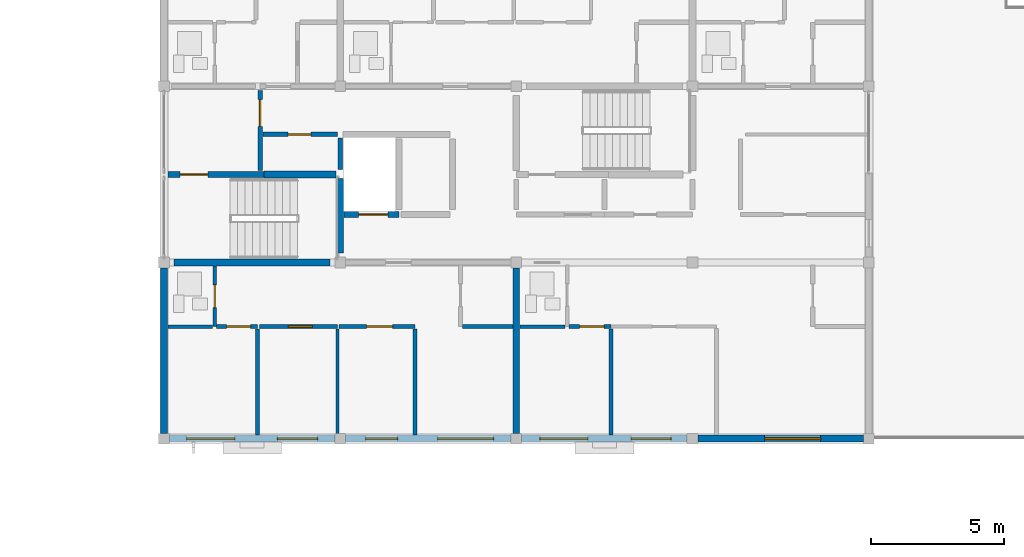
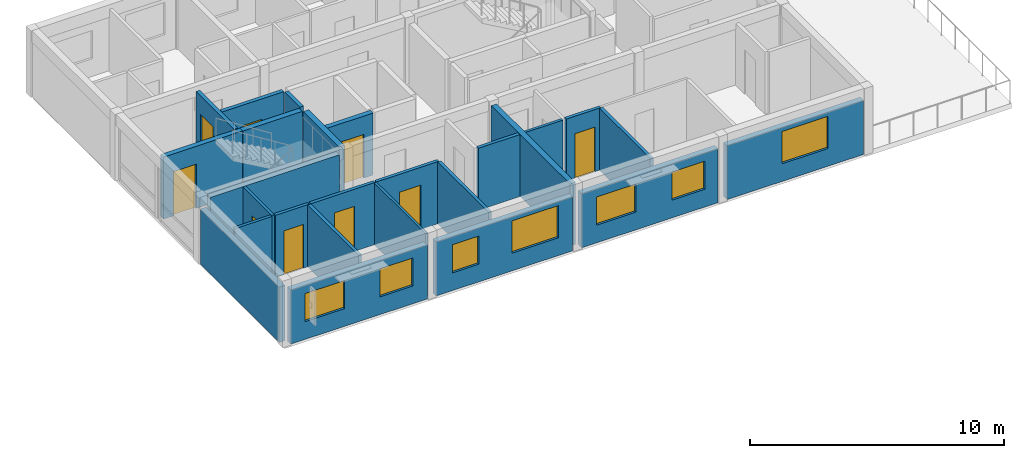
# One storey, part 12 of 22: 26 walls, 9 doors, 7 windows, 16 openings.
"""IFC4 building model written with IfcOpenShell, lengths in metres."""

import ifcopenshell
import ifcopenshell.guid

model = None  # the IFC model being written
_history = None  # IfcOwnerHistory: only IFC2X3 demands one
_inside = {}  # id of a spatial element -> (the spatial element, [elements in it])
_under = {}  # id of a project, library or spatial element -> (it, [spatial elements below it])
_declared = {}  # id of a project -> (the project, [libraries it declares])
_typed = {}  # id of a type object -> (the type object, [elements of that type])
_made_of = {}  # id of a material, layer set ... -> (it, [elements and type objects made of it])


def new_model(schema):
    """Start an empty IFC model of exactly this schema.

    Asked for "IFC4X3", IfcOpenShell would pick the latest addendum, in which some entities
    have other attributes; the version numbers below select the first issue.
    IFC2X3 requires an IfcOwnerHistory on every rooted entity: one is made here for all.
    """
    global model, _history
    if schema == "IFC4X3":
        model = ifcopenshell.file(schema_version=(4, 3, 0, 0))
    else:
        model = ifcopenshell.file(schema=schema)
    _inside.clear()
    _under.clear()
    _declared.clear()
    _typed.clear()
    _made_of.clear()
    _history = None
    if model.schema == "IFC2X3":
        org = make("IfcOrganization", Name="unknown")
        user = make(
            "IfcPersonAndOrganization",
            ThePerson=make("IfcPerson", FamilyName="unknown"),
            TheOrganization=org,
        )
        app = make(
            "IfcApplication",
            ApplicationDeveloper=org,
            Version="unknown",
            ApplicationFullName="unknown",
            ApplicationIdentifier="unknown",
        )
        _history = make(
            "IfcOwnerHistory",
            OwningUser=user,
            OwningApplication=app,
            ChangeAction="ADDED",
            CreationDate=0,
        )
    return model


def make(cls, **values):
    """One entity of the class cls with the attributes given. An attribute that is None is left unset."""
    return model.create_entity(
        cls, **{name: value for name, value in values.items() if value is not None}
    )


def rooted(cls, **values):
    """An entity with a GlobalId (a new one), such as an element, a storey or a relation."""
    return make(cls, GlobalId=ifcopenshell.guid.new(), OwnerHistory=_history, **values)


def si_unit(unit_type, name, prefix=None):
    """IfcSIUnit, for example si_unit("LENGTHUNIT", "METRE", prefix="MILLI")."""
    return make("IfcSIUnit", UnitType=unit_type, Prefix=prefix, Name=name)


def assignment(units):
    """IfcUnitAssignment: the units of a project."""
    return None if units is None else make("IfcUnitAssignment", Units=units)


def point(xyz):
    """IfcCartesianPoint."""
    return None if xyz is None else make("IfcCartesianPoint", Coordinates=xyz)


def direction(xyz):
    """IfcDirection."""
    return None if xyz is None else make("IfcDirection", DirectionRatios=xyz)


def frame(location, z_axis=None, x_axis=None):
    """IfcAxis2Placement3D, a coordinate frame: its origin and axes. An axis left out is left unset."""
    return make(
        "IfcAxis2Placement3D",
        Location=point(location),
        Axis=direction(z_axis),
        RefDirection=direction(x_axis),
    )


def frame_2d(location, x_axis=None):
    """IfcAxis2Placement2D, a coordinate frame in the plane: its origin and x axis."""
    return make(
        "IfcAxis2Placement2D", Location=point(location), RefDirection=direction(x_axis)
    )


def origin():
    """The frame at (0, 0, 0) with its axes left unset."""
    return frame((0.0, 0.0, 0.0))


def place(relative_to, where):
    """IfcLocalPlacement: puts the frame where relative to a parent placement (None: the world)."""
    return make(
        "IfcLocalPlacement", PlacementRelTo=relative_to, RelativePlacement=where
    )


def context(
    kind, dimensions, precision=None, world=None, true_north=None, identifier=None
):
    """IfcGeometricRepresentationContext, for example the 3D "Model" context."""
    return make(
        "IfcGeometricRepresentationContext",
        ContextIdentifier=identifier,
        ContextType=kind,
        CoordinateSpaceDimension=dimensions,
        Precision=precision,
        WorldCoordinateSystem=world,
        TrueNorth=true_north,
    )


def subcontext(parent, identifier, kind, view, scale=None):
    """IfcGeometricRepresentationSubContext, for example "Body" below "Model"."""
    return make(
        "IfcGeometricRepresentationSubContext",
        ContextIdentifier=identifier,
        ContextType=kind,
        ParentContext=parent,
        TargetScale=scale,
        TargetView=view,
    )


def project(units=None, contexts=None):
    """IfcProject with its units and contexts."""
    return rooted(
        "IfcProject",
        Name="project",
        RepresentationContexts=contexts,
        UnitsInContext=assignment(units),
    )


def spatial(cls, under=None, at=None, **own):
    """A site, building, storey or space (cls), placed at a placement, below another one or the project."""
    s = rooted(cls, ObjectPlacement=at, **own)
    if under is not None:
        _under.setdefault(under.id(), (under, []))[1].append(s)
    return s


def profile(cls, at=None, kind="AREA", **sizes):
    """A parametric profile (cls). Its sizes go by their IFC names, for example OverallWidth=200.0."""
    return make(cls, ProfileType=kind, Position=at, **sizes)


def rectangle(**sizes):
    """IfcRectangleProfileDef."""
    return profile("IfcRectangleProfileDef", **sizes)


def extrude(swept, where, along, depth):
    """IfcExtrudedAreaSolid: the profile swept, set in the frame where, extruded along a direction by depth."""
    return make(
        "IfcExtrudedAreaSolid",
        SweptArea=swept,
        Position=where,
        ExtrudedDirection=direction(along),
        Depth=depth,
    )


def shape(context_of_items, identifier, shape_type, items):
    """IfcShapeRepresentation: the items that make up one representation, for example the "Body"."""
    return make(
        "IfcShapeRepresentation",
        ContextOfItems=context_of_items,
        RepresentationIdentifier=identifier,
        RepresentationType=shape_type,
        Items=items,
    )


def material(Name=None, Category=None):
    """IfcMaterial."""
    return make("IfcMaterial", Name=Name, Category=Category)


def layer(
    of_material, thickness, ventilated=None, Name=None, Category=None, Priority=None
):
    """IfcMaterialLayer: one layer of a wall or slab, of a material (None: an air gap)."""
    return make(
        "IfcMaterialLayer",
        Material=of_material,
        LayerThickness=thickness,
        IsVentilated=ventilated,
        Name=Name,
        Category=Category,
        Priority=Priority,
    )


def layer_set(layers, Name=None):
    """IfcMaterialLayerSet."""
    return make("IfcMaterialLayerSet", MaterialLayers=layers, LayerSetName=Name)


def made_of(thing, what):
    """Note that an element or type object is made of a material, layer set ...; save() writes the relation."""
    if what is not None:
        _made_of.setdefault(what.id(), (what, []))[1].append(thing)
    return thing


def type_object(cls, material=None, **own):
    """A type object (cls), such as IfcWallType, which elements share."""
    return made_of(rooted(cls, **own), material)


def element(
    cls,
    number,
    at=None,
    inside=None,
    cuts=None,
    type_object=None,
    material=None,
    context=None,
    identifier="Body",
    shape_type=None,
    held_by="IfcProductDefinitionShape",
    body=None,
    shapes=None,
    **own,
):
    """One element of the class cls, such as IfcWall. Its Tag is "e" and its number.

    at: its placement. inside: the storey or other place that contains it. cuts: it is an
    opening in that element (IfcRelVoidsElement). A single representation is given by context,
    identifier, shape_type and body (its items); several are given by shapes. held_by: the class
    of the entity that holds the representations. save() writes the other relations.
    """
    e = rooted(cls, Tag="e%d" % number, ObjectPlacement=at, **own)
    if body is not None:
        shapes = [shape(context, identifier, shape_type, body)]
    if shapes is not None:
        e.Representation = make(held_by, Representations=shapes)
    if inside is not None:
        _inside.setdefault(inside.id(), (inside, []))[1].append(e)
    if cuts is not None:
        rooted(
            "IfcRelVoidsElement", RelatingBuildingElement=cuts, RelatedOpeningElement=e
        )
    if type_object is not None:
        _typed.setdefault(type_object.id(), (type_object, []))[1].append(e)
    return made_of(e, material)


def fill(opening, filler):
    """IfcRelFillsElement: the door or window that sits in an opening."""
    return rooted(
        "IfcRelFillsElement",
        RelatingOpeningElement=opening,
        RelatedBuildingElement=filler,
    )


def aggregate(whole, parts):
    """IfcRelAggregates: a whole, such as a stair, and the parts it consists of."""
    return rooted("IfcRelAggregates", RelatingObject=whole, RelatedObjects=parts)


def save(model, path):
    """Write the relations noted so far, then the file.

    IfcRelAggregates (storeys below a building ...), IfcRelContainedInSpatialStructure (elements
    in a storey), IfcRelDefinesByType, IfcRelAssociatesMaterial and IfcRelDeclares: one each for
    every whole, place, type object, material and project.
    """
    for whole, parts in _under.values():
        aggregate(whole, parts)
    for where, things in _inside.values():
        rooted(
            "IfcRelContainedInSpatialStructure",
            RelatedElements=things,
            RelatingStructure=where,
        )
    for kind, things in _typed.values():
        rooted("IfcRelDefinesByType", RelatedObjects=things, RelatingType=kind)
    for what, things in _made_of.values():
        rooted("IfcRelAssociatesMaterial", RelatedObjects=things, RelatingMaterial=what)
    for by, libraries in _declared.values():
        rooted("IfcRelDeclares", RelatingContext=by, RelatedDefinitions=libraries)
    model.write(path)


model = new_model("IFC4")

# Units and contexts
model_context = context("Model", 3, precision=1e-05, world=origin(), true_north=direction((0.0, 1.0)))
body_context = subcontext(model_context, "Body", "Model", "MODEL_VIEW")
ifc_project = project(units=[si_unit("LENGTHUNIT", "METRE"), si_unit("AREAUNIT", "SQUARE_METRE"), si_unit("VOLUMEUNIT", "CUBIC_METRE"), si_unit("PLANEANGLEUNIT", "RADIAN"), si_unit("MASSUNIT", "GRAM", prefix="KILO")], contexts=[model_context])

# Site, building, storey
site_placement = place(None, origin())
site = spatial("IfcSite", under=ifc_project, at=site_placement, CompositionType="ELEMENT")
building_placement = place(site_placement, origin())
building = spatial("IfcBuilding", under=site, at=building_placement, Name="Kernevlak Ridge Housing Community", CompositionType="ELEMENT")
storey_placement = place(building_placement, frame((0.0, 0.0, 43.60009765625)))
storey = spatial("IfcBuildingStorey", under=building, at=storey_placement, Name="L13", CompositionType="ELEMENT", Elevation=43.60009765625)

# Wall, openings, windows
ifc_material_1 = material(Name="Concrete block masonry M10", Category="masonry")
ifc_layer_1 = layer(ifc_material_1, 0.260009765625, Name="Concrete block masonry M10")
ifc_layer_set_1 = layer_set([ifc_layer_1], Name="Concrete block masonry M10")
wall_type_1 = type_object("IfcWallType", Name="EW-05", PredefinedType="STANDARD", material=ifc_layer_set_1)
wall_1_placement = place(storey_placement, frame((119.60009765625, 82.60009765625, 0.0), z_axis=(0.0, 0.0, 1.0), x_axis=(1.0, 0.0, 0.0)))
wall_1 = element("IfcWall", 1, at=wall_1_placement, inside=storey, type_object=wall_type_1, Name="Exterior wall EW-05 L13 499", PredefinedType="STANDARD", context=body_context, shape_type="SweptSolid", body=[
    extrude(rectangle(XDim=6.199951171875, YDim=0.260009765625, at=frame_2d((3.10009765625, 0.0))), origin(), (0.0, 0.0, 1.0), 2.599853515625),
])
opening_1_placement = place(wall_1_placement, frame((0.64990234375, 0.0, 0.85009765625)))
opening_1 = element("IfcOpeningElement", 2, at=opening_1_placement, cuts=wall_1, Name="Opening WT-03", PredefinedType="OPENING", context=body_context, shape_type="SweptSolid", body=[
    extrude(rectangle(XDim=1.800048828125, YDim=1.35009765625, at=frame_2d((0.89990234375, 0.675048828125))), frame((0.0, 0.139892578125, 0.0), z_axis=(0.0, -1.0, 0.0), x_axis=(1.0, 0.0, 0.0)), (0.0, 0.0, 1.0), 0.280029296875),
])
opening_2_placement = place(wall_1_placement, frame((4.050048828125, 0.0, 0.85009765625)))
opening_2 = element("IfcOpeningElement", 3, at=opening_2_placement, cuts=wall_1, Name="Opening WT-02", PredefinedType="OPENING", context=body_context, shape_type="SweptSolid", body=[
    extrude(rectangle(XDim=1.5, YDim=1.35009765625, at=frame_2d((0.75, 0.675048828125))), frame((0.0, 0.139892578125, 0.0), z_axis=(0.0, -1.0, 0.0), x_axis=(1.0, 0.0, 0.0)), (0.0, 0.0, 1.0), 0.280029296875),
])
ifc_material_2 = material(Name="Aluminium EN AW-6060 anodised and laminated glass", Category="aluminium")
window_type_1 = type_object("IfcWindowType", Name="WT-02", PartitioningType="SINGLE_PANEL", PredefinedType="WINDOW", material=ifc_material_2)
window_1_placement = place(opening_2_placement, origin())
window_1 = element("IfcWindow", 4, at=window_1_placement, inside=storey, type_object=window_type_1, Name="Window WT-02 L13 388", OverallHeight=1.35009765625, OverallWidth=1.5, PartitioningType="SINGLE_PANEL", PredefinedType="WINDOW", context=body_context, shape_type="SweptSolid", body=[
    extrude(rectangle(XDim=1.5, YDim=1.35009765625, at=frame_2d((0.75, 0.675048828125))), frame((0.0, 0.030029296875, 0.0), z_axis=(0.0, -1.0, 0.0), x_axis=(1.0, 0.0, 0.0)), (0.0, 0.0, 1.0), 0.06005859375),
])
fill(opening_2, window_1)
window_type_2 = type_object("IfcWindowType", Name="WT-03", PartitioningType="SINGLE_PANEL", PredefinedType="WINDOW", material=ifc_material_2)
window_2_placement = place(opening_1_placement, origin())
window_2 = element("IfcWindow", 5, at=window_2_placement, inside=storey, type_object=window_type_2, Name="Window WT-03 L13 387", OverallHeight=1.35009765625, OverallWidth=1.800048828125, PartitioningType="SINGLE_PANEL", PredefinedType="WINDOW", context=body_context, shape_type="SweptSolid", body=[
    extrude(rectangle(XDim=1.800048828125, YDim=1.35009765625, at=frame_2d((0.89990234375, 0.675048828125))), frame((0.0, 0.030029296875, 0.0), z_axis=(0.0, -1.0, 0.0), x_axis=(1.0, 0.0, 0.0)), (0.0, 0.0, 1.0), 0.06005859375),
])
fill(opening_1, window_2)

wall_2_placement = place(storey_placement, frame((126.199951171875, 82.60009765625, 0.0), z_axis=(0.0, 0.0, 1.0), x_axis=(1.0, 0.0, 0.0)))
wall_2 = element("IfcWall", 6, at=wall_2_placement, inside=storey, type_object=wall_type_1, Name="Exterior wall EW-05 L13 500", PredefinedType="STANDARD", context=body_context, shape_type="SweptSolid", body=[
    extrude(rectangle(XDim=6.199951171875, YDim=0.260009765625, at=frame_2d((3.10009765625, 0.0))), origin(), (0.0, 0.0, 1.0), 2.599853515625),
])
opening_3_placement = place(wall_2_placement, frame((0.75, 0.0, 0.85009765625)))
opening_3 = element("IfcOpeningElement", 7, at=opening_3_placement, cuts=wall_2, Name="Opening WT-01", PredefinedType="OPENING", context=body_context, shape_type="SweptSolid", body=[
    extrude(rectangle(XDim=1.199951171875, YDim=1.35009765625, at=frame_2d((0.60009765625, 0.675048828125))), frame((0.0, 0.139892578125, 0.0), z_axis=(0.0, -1.0, 0.0), x_axis=(1.0, 0.0, 0.0)), (0.0, 0.0, 1.0), 0.280029296875),
])
opening_4_placement = place(wall_2_placement, frame((3.449951171875, 0.0, 0.85009765625)))
opening_4 = element("IfcOpeningElement", 8, at=opening_4_placement, cuts=wall_2, Name="Opening WT-05", PredefinedType="OPENING", context=body_context, shape_type="SweptSolid", body=[
    extrude(rectangle(XDim=2.10009765625, YDim=1.550048828125, at=frame_2d((1.050048828125, 0.77490234375))), frame((0.0, 0.139892578125, 0.0), z_axis=(0.0, -1.0, 0.0), x_axis=(1.0, 0.0, 0.0)), (0.0, 0.0, 1.0), 0.280029296875),
])
window_type_3 = type_object("IfcWindowType", Name="WT-01", PartitioningType="SINGLE_PANEL", PredefinedType="WINDOW", material=ifc_material_2)
window_3_placement = place(opening_3_placement, origin())
window_3 = element("IfcWindow", 9, at=window_3_placement, inside=storey, type_object=window_type_3, Name="Window WT-01 L13 389", OverallHeight=1.35009765625, OverallWidth=1.199951171875, PartitioningType="SINGLE_PANEL", PredefinedType="WINDOW", context=body_context, shape_type="SweptSolid", body=[
    extrude(rectangle(XDim=1.199951171875, YDim=1.35009765625, at=frame_2d((0.60009765625, 0.675048828125))), frame((0.0, 0.030029296875, 0.0), z_axis=(0.0, -1.0, 0.0), x_axis=(1.0, 0.0, 0.0)), (0.0, 0.0, 1.0), 0.06005859375),
])
fill(opening_3, window_3)
window_type_4 = type_object("IfcWindowType", Name="WT-05", PartitioningType="SINGLE_PANEL", PredefinedType="WINDOW", material=ifc_material_2)
window_4_placement = place(opening_4_placement, origin())
window_4 = element("IfcWindow", 10, at=window_4_placement, inside=storey, type_object=window_type_4, Name="Window WT-05 L13 390", OverallHeight=1.550048828125, OverallWidth=2.10009765625, PartitioningType="SINGLE_PANEL", PredefinedType="WINDOW", context=body_context, shape_type="SweptSolid", body=[
    extrude(rectangle(XDim=2.10009765625, YDim=1.550048828125, at=frame_2d((1.050048828125, 0.77490234375))), frame((0.0, 0.030029296875, 0.0), z_axis=(0.0, -1.0, 0.0), x_axis=(1.0, 0.0, 0.0)), (0.0, 0.0, 1.0), 0.06005859375),
])
fill(opening_4, window_4)

wall_3_placement = place(storey_placement, frame((132.800048828125, 82.60009765625, 0.0), z_axis=(0.0, 0.0, 1.0), x_axis=(1.0, 0.0, 0.0)))
wall_3 = element("IfcWall", 11, at=wall_3_placement, inside=storey, type_object=wall_type_1, Name="Exterior wall EW-05 L13 501", PredefinedType="STANDARD", context=body_context, shape_type="SweptSolid", body=[
    extrude(rectangle(XDim=6.199951171875, YDim=0.260009765625, at=frame_2d((3.10009765625, 0.0))), origin(), (0.0, 0.0, 1.0), 2.599853515625),
])
opening_5_placement = place(wall_3_placement, frame((0.675048828125, 0.0, 0.85009765625)))
opening_5 = element("IfcOpeningElement", 12, at=opening_5_placement, cuts=wall_3, Name="Opening WT-03", PredefinedType="OPENING", context=body_context, shape_type="SweptSolid", body=[
    extrude(rectangle(XDim=1.800048828125, YDim=1.35009765625, at=frame_2d((0.89990234375, 0.675048828125))), frame((0.0, 0.139892578125, 0.0), z_axis=(0.0, -1.0, 0.0), x_axis=(1.0, 0.0, 0.0)), (0.0, 0.0, 1.0), 0.280029296875),
])
opening_6_placement = place(wall_3_placement, frame((4.10009765625, 0.0, 0.85009765625)))
opening_6 = element("IfcOpeningElement", 13, at=opening_6_placement, cuts=wall_3, Name="Opening WT-02", PredefinedType="OPENING", context=body_context, shape_type="SweptSolid", body=[
    extrude(rectangle(XDim=1.5, YDim=1.35009765625, at=frame_2d((0.75, 0.675048828125))), frame((0.0, 0.139892578125, 0.0), z_axis=(0.0, -1.0, 0.0), x_axis=(1.0, 0.0, 0.0)), (0.0, 0.0, 1.0), 0.280029296875),
])
window_5_placement = place(opening_6_placement, origin())
window_5 = element("IfcWindow", 14, at=window_5_placement, inside=storey, type_object=window_type_1, Name="Window WT-02 L13 392", OverallHeight=1.35009765625, OverallWidth=1.5, PartitioningType="SINGLE_PANEL", PredefinedType="WINDOW", context=body_context, shape_type="SweptSolid", body=[
    extrude(rectangle(XDim=1.5, YDim=1.35009765625, at=frame_2d((0.75, 0.675048828125))), frame((0.0, 0.030029296875, 0.0), z_axis=(0.0, -1.0, 0.0), x_axis=(1.0, 0.0, 0.0)), (0.0, 0.0, 1.0), 0.06005859375),
])
fill(opening_6, window_5)
window_6_placement = place(opening_5_placement, origin())
window_6 = element("IfcWindow", 15, at=window_6_placement, inside=storey, type_object=window_type_2, Name="Window WT-03 L13 391", OverallHeight=1.35009765625, OverallWidth=1.800048828125, PartitioningType="SINGLE_PANEL", PredefinedType="WINDOW", context=body_context, shape_type="SweptSolid", body=[
    extrude(rectangle(XDim=1.800048828125, YDim=1.35009765625, at=frame_2d((0.89990234375, 0.675048828125))), frame((0.0, 0.030029296875, 0.0), z_axis=(0.0, -1.0, 0.0), x_axis=(1.0, 0.0, 0.0)), (0.0, 0.0, 1.0), 0.06005859375),
])
fill(opening_5, window_6)

# Wall, opening, window
wall_4_placement = place(storey_placement, frame((139.39990234375, 82.60009765625, 0.0), z_axis=(0.0, 0.0, 1.0), x_axis=(1.0, 0.0, 0.0)))
wall_4 = element("IfcWall", 16, at=wall_4_placement, inside=storey, type_object=wall_type_1, Name="Exterior wall EW-05 L13 502", PredefinedType="STANDARD", context=body_context, shape_type="SweptSolid", body=[
    extrude(rectangle(XDim=6.2001953125, YDim=0.260009765625, at=frame_2d((3.10009765625, 0.0))), origin(), (0.0, 0.0, 1.0), 2.599853515625),
])
opening_7_placement = place(wall_4_placement, frame((2.49609375, 0.0, 0.85009765625)))
opening_7 = element("IfcOpeningElement", 17, at=opening_7_placement, cuts=wall_4, Name="Opening WT-05", PredefinedType="OPENING", context=body_context, shape_type="SweptSolid", body=[
    extrude(rectangle(XDim=2.10009765625, YDim=1.550048828125, at=frame_2d((1.050048828125, 0.77490234375))), frame((0.0, 0.139892578125, 0.0), z_axis=(0.0, -1.0, 0.0), x_axis=(1.0, 0.0, 0.0)), (0.0, 0.0, 1.0), 0.280029296875),
])
window_7_placement = place(opening_7_placement, origin())
window_7 = element("IfcWindow", 18, at=window_7_placement, inside=storey, type_object=window_type_4, Name="Window WT-05 L13 393", OverallHeight=1.550048828125, OverallWidth=2.10009765625, PartitioningType="SINGLE_PANEL", PredefinedType="WINDOW", context=body_context, shape_type="SweptSolid", body=[
    extrude(rectangle(XDim=2.10009765625, YDim=1.550048828125, at=frame_2d((1.050048828125, 0.77490234375))), frame((0.0, 0.030029296875, 0.0), z_axis=(0.0, -1.0, 0.0), x_axis=(1.0, 0.0, 0.0)), (0.0, 0.0, 1.0), 0.06005859375),
])
fill(opening_7, window_7)

# Wall
wall_5_placement = place(storey_placement, frame((119.39990234375, 82.800048828125, 0.0), z_axis=(0.0, 0.0, 1.0), x_axis=(0.0, 1.0, 0.0)))
element("IfcWall", 19, at=wall_5_placement, inside=storey, type_object=wall_type_1, Name="Exterior wall EW-05 L13 509", PredefinedType="STANDARD", context=body_context, shape_type="SweptSolid", body=[
    extrude(rectangle(XDim=6.199951171875, YDim=0.260009765625, at=frame_2d((3.10009765625, 0.0))), origin(), (0.0, 0.0, 1.0), 2.64990234375),
])

# Wall, opening, door
ifc_material_3 = material(Name="Concrete C35/45", Category="concrete")
ifc_layer_2 = layer(ifc_material_3, 0.22509765625, Name="Concrete C35/45")
ifc_layer_set_2 = layer_set([ifc_layer_2], Name="Concrete C35/45")
wall_type_2 = type_object("IfcWallType", Name="PW-01", PredefinedType="STANDARD", material=ifc_layer_set_2)
wall_6_placement = place(storey_placement, frame((119.550048828125, 92.5, 0.0), z_axis=(0.0, 0.0, 1.0), x_axis=(1.0, 0.0, 0.0)))
wall_6 = element("IfcWall", 20, at=wall_6_placement, inside=storey, type_object=wall_type_2, Name="Interior wall PW-01 WAL-INT-L13-1954", PredefinedType="STANDARD", context=body_context, shape_type="SweptSolid", body=[
    extrude(rectangle(XDim=3.599853515625, YDim=0.22509765625, at=frame_2d((1.7998046875, 0.0))), origin(), (0.0, 0.0, 1.0), 2.97998046875),
])
opening_8_placement = place(wall_6_placement, frame((0.449951171875, 0.0, 0.0)))
opening_8 = element("IfcOpeningElement", 21, at=opening_8_placement, cuts=wall_6, Name="Opening D991", PredefinedType="OPENING", context=body_context, shape_type="SweptSolid", body=[
    extrude(rectangle(XDim=1.0400390625, YDim=2.1201171875, at=frame_2d((0.52001953125, 1.06005859375))), frame((0.0, 0.12255859375, 0.0), z_axis=(0.0, -1.0, 0.0), x_axis=(1.0, 0.0, 0.0)), (0.0, 0.0, 1.0), 0.2451171875),
])
ifc_material_4 = material(Name="Fire-rated sheet steel leaf", Category="steel")
door_type_1 = type_object("IfcDoorType", Name="DT-16", OperationType="NOTDEFINED", PredefinedType="DOOR", material=ifc_material_4)
door_1_placement = place(opening_8_placement, origin())
door_1 = element("IfcDoor", 22, at=door_1_placement, inside=storey, type_object=door_type_1, Name="Block B Stair 1 fire door D991", OperationType="SINGLE_SWING_LEFT", OverallHeight=2.1201171875, OverallWidth=1.0400390625, PredefinedType="DOOR", context=body_context, shape_type="SweptSolid", body=[
    extrude(rectangle(XDim=1.0400390625, YDim=2.1201171875, at=frame_2d((0.52001953125, 1.06005859375))), frame((0.0, 0.02490234375, 0.0), z_axis=(0.0, -1.0, 0.0), x_axis=(1.0, 0.0, 0.0)), (0.0, 0.0, 1.0), 0.050048828125),
])
fill(opening_8, door_1)

wall_7_placement = place(storey_placement, frame((126.135009765625, 91.0, 0.0), z_axis=(0.0, 0.0, 1.0), x_axis=(1.0, 0.0, 0.0)))
wall_7 = element("IfcWall", 23, at=wall_7_placement, inside=storey, type_object=wall_type_2, Name="Interior wall PW-01 WAL-INT-L13-1958", PredefinedType="STANDARD", context=body_context, shape_type="SweptSolid", body=[
    extrude(rectangle(XDim=2.06494140625, YDim=0.22509765625, at=frame_2d((1.032470703125, 0.0))), origin(), (0.0, 0.0, 1.0), 2.97998046875),
])
opening_9_placement = place(wall_7_placement, frame((0.550048828125, 0.0, 0.0)))
opening_9 = element("IfcOpeningElement", 24, at=opening_9_placement, cuts=wall_7, Name="Opening LD52", PredefinedType="OPENING", context=body_context, shape_type="SweptSolid", body=[
    extrude(rectangle(XDim=1.10009765625, YDim=2.10009765625, at=frame_2d((0.550048828125, 1.050048828125))), frame((0.0, 0.12255859375, 0.0), z_axis=(0.0, -1.0, 0.0), x_axis=(1.0, 0.0, 0.0)), (0.0, 0.0, 1.0), 0.2451171875),
])
ifc_material_5 = material(Name="Stainless steel EN 1.4401", Category="steel")
door_type_2 = type_object("IfcDoorType", Name="DT-LD1", OperationType="DOUBLE_DOOR_SLIDING", PredefinedType="DOOR", material=ifc_material_5)
door_2_placement = place(opening_9_placement, origin())
door_2 = element("IfcDoor", 25, at=door_2_placement, inside=storey, type_object=door_type_2, Name="Lift LF-B1 landing door LD52", OperationType="DOUBLE_DOOR_SLIDING", OverallHeight=2.10009765625, OverallWidth=1.10009765625, PredefinedType="DOOR", context=body_context, shape_type="SweptSolid", body=[
    extrude(rectangle(XDim=1.10009765625, YDim=2.10009765625, at=frame_2d((0.550048828125, 1.050048828125))), frame((0.0, 0.02490234375, 0.0), z_axis=(0.0, -1.0, 0.0), x_axis=(1.0, 0.0, 0.0)), (0.0, 0.0, 1.0), 0.050048828125),
])
fill(opening_9, door_2)

ifc_layer_3 = layer(ifc_material_1, 0.175048828125, Name="Concrete block masonry M10")
ifc_layer_set_3 = layer_set([ifc_layer_3], Name="Concrete block masonry M10")
wall_type_3 = type_object("IfcWallType", Name="PW-02", PredefinedType="PARTITIONING", material=ifc_layer_set_3)
wall_8_placement = place(storey_placement, frame((123.0, 92.64990234375, 0.0), z_axis=(0.0, 0.0, 1.0), x_axis=(0.0, 1.0, 0.0)))
wall_8 = element("IfcWall", 26, at=wall_8_placement, inside=storey, type_object=wall_type_3, Name="Interior wall PW-02 WAL-INT-L13-1955", PredefinedType="PARTITIONING", context=body_context, shape_type="SweptSolid", body=[
    extrude(rectangle(XDim=3.0, YDim=0.175048828125, at=frame_2d((1.5, 0.0))), origin(), (0.0, 0.0, 1.0), 2.97998046875),
])
opening_10_placement = place(wall_8_placement, frame((1.64990234375, 0.0, 0.0)))
opening_10 = element("IfcOpeningElement", 27, at=opening_10_placement, cuts=wall_8, Name="Opening D992", PredefinedType="OPENING", context=body_context, shape_type="SweptSolid", body=[
    extrude(rectangle(XDim=1.0, YDim=2.10009765625, at=frame_2d((0.5, 1.050048828125))), frame((0.0, 0.097412109375, 0.0), z_axis=(0.0, -1.0, 0.0), x_axis=(1.0, 0.0, 0.0)), (0.0, 0.0, 1.0), 0.195068359375),
])
door_type_3 = type_object("IfcDoorType", Name="DT-05", OperationType="NOTDEFINED", PredefinedType="DOOR", material=ifc_material_4)
door_3_placement = place(opening_10_placement, origin())
door_3 = element("IfcDoor", 28, at=door_3_placement, inside=storey, type_object=door_type_3, Name="Block B Firefighting lobby 1 door D992", OperationType="SINGLE_SWING_RIGHT", OverallHeight=2.10009765625, OverallWidth=1.0, PredefinedType="DOOR", context=body_context, shape_type="SweptSolid", body=[
    extrude(rectangle(XDim=1.0, YDim=2.10009765625, at=frame_2d((0.5, 1.050048828125))), frame((0.0, 0.02490234375, 0.0), z_axis=(0.0, -1.0, 0.0), x_axis=(1.0, 0.0, 0.0)), (0.0, 0.0, 1.0), 0.050048828125),
])
fill(opening_10, door_3)

wall_9_placement = place(storey_placement, frame((123.10009765625, 94.0, 0.0), z_axis=(0.0, 0.0, 1.0), x_axis=(1.0, 0.0, 0.0)))
wall_9 = element("IfcWall", 29, at=wall_9_placement, inside=storey, type_object=wall_type_3, Name="Interior wall PW-02 WAL-INT-L13-1956", PredefinedType="PARTITIONING", context=body_context, shape_type="SweptSolid", body=[
    extrude(rectangle(XDim=2.7998046875, YDim=0.175048828125, at=frame_2d((1.39990234375, 0.0))), origin(), (0.0, 0.0, 1.0), 2.97998046875),
])
opening_11_placement = place(wall_9_placement, frame((0.949951171875, 0.0, 0.0)))
opening_11 = element("IfcOpeningElement", 30, at=opening_11_placement, cuts=wall_9, Name="Opening D993", PredefinedType="OPENING", context=body_context, shape_type="SweptSolid", body=[
    extrude(rectangle(XDim=0.85009765625, YDim=2.0, at=frame_2d((0.425048828125, 1.0))), frame((0.0, 0.097412109375, 0.0), z_axis=(0.0, -1.0, 0.0), x_axis=(1.0, 0.0, 0.0)), (0.0, 0.0, 1.0), 0.195068359375),
])
door_type_4 = type_object("IfcDoorType", Name="DT-07", OperationType="NOTDEFINED", PredefinedType="DOOR", material=ifc_material_4)
door_4_placement = place(opening_11_placement, origin())
door_4 = element("IfcDoor", 31, at=door_4_placement, inside=storey, type_object=door_type_4, Name="Block B Riser shaft door D993", OperationType="SINGLE_SWING_LEFT", OverallHeight=2.0, OverallWidth=0.85009765625, PredefinedType="DOOR", context=body_context, shape_type="SweptSolid", body=[
    extrude(rectangle(XDim=0.85009765625, YDim=2.0, at=frame_2d((0.425048828125, 1.0))), frame((0.0, 0.02490234375, 0.0), z_axis=(0.0, -1.0, 0.0), x_axis=(1.0, 0.0, 0.0)), (0.0, 0.0, 1.0), 0.050048828125),
])
fill(opening_11, door_4)

# Wall
wall_10_placement = place(storey_placement, frame((126.0, 92.679931640625, 0.0), z_axis=(0.0, 0.0, 1.0), x_axis=(0.0, 1.0, 0.0)))
element("IfcWall", 32, at=wall_10_placement, inside=storey, type_object=wall_type_3, Name="Interior wall PW-02 WAL-INT-L13-1957", PredefinedType="PARTITIONING", context=body_context, shape_type="SweptSolid", body=[
    extrude(rectangle(XDim=1.190185546875, YDim=0.175048828125, at=frame_2d((0.59521484375, 0.0))), origin(), (0.0, 0.0, 1.0), 2.97998046875),
])

# Wall, opening, door
ifc_layer_4 = layer(ifc_material_1, 0.14501953125, Name="Concrete block masonry M10")
ifc_layer_set_4 = layer_set([ifc_layer_4], Name="Concrete block masonry M10")
wall_type_4 = type_object("IfcWallType", Name="PW-03", PredefinedType="PARTITIONING", material=ifc_layer_set_4)
wall_11_placement = place(storey_placement, frame((121.37255859375, 86.800048828125, 0.0), z_axis=(0.0, 0.0, 1.0), x_axis=(1.0, 0.0, 0.0)))
wall_11 = element("IfcWall", 33, at=wall_11_placement, inside=storey, type_object=wall_type_4, Name="Interior wall PW-03 WAL-INT-L13-1978", PredefinedType="PARTITIONING", context=body_context, shape_type="SweptSolid", body=[
    extrude(rectangle(XDim=1.52734375, YDim=0.14501953125, at=frame_2d((0.763671875, 0.0))), origin(), (0.0, 0.0, 1.0), 2.97998046875),
])
opening_12_placement = place(wall_11_placement, frame((0.375, 0.0, 0.0)))
opening_12 = element("IfcOpeningElement", 34, at=opening_12_placement, cuts=wall_11, Name="Opening E003", PredefinedType="OPENING", context=body_context, shape_type="SweptSolid", body=[
    extrude(rectangle(XDim=0.89990234375, YDim=2.10009765625, at=frame_2d((0.449951171875, 1.050048828125))), frame((0.0, 0.08251953125, 0.0), z_axis=(0.0, -1.0, 0.0), x_axis=(1.0, 0.0, 0.0)), (0.0, 0.0, 1.0), 0.1650390625),
])
ifc_material_6 = material(Name="Hardwood timber leaf", Category="wood")
door_type_5 = type_object("IfcDoorType", Name="DT-21", OperationType="NOTDEFINED", PredefinedType="DOOR", material=ifc_material_6)
door_5_placement = place(opening_12_placement, origin())
door_5 = element("IfcDoor", 35, at=door_5_placement, inside=storey, type_object=door_type_5, Name="Flat B1311 bedroom door E003", OperationType="SINGLE_SWING_RIGHT", OverallHeight=2.10009765625, OverallWidth=0.89990234375, PredefinedType="DOOR", context=body_context, shape_type="SweptSolid", body=[
    extrude(rectangle(XDim=0.89990234375, YDim=2.10009765625, at=frame_2d((0.449951171875, 1.050048828125))), frame((0.0, 0.02490234375, 0.0), z_axis=(0.0, -1.0, 0.0), x_axis=(1.0, 0.0, 0.0)), (0.0, 0.0, 1.0), 0.050048828125),
])
fill(opening_12, door_5)

# Wall
wall_12_placement = place(storey_placement, frame((122.89990234375, 86.717529296875, 0.0), z_axis=(0.0, 0.0, 1.0), x_axis=(0.0, -1.0, 0.0)))
element("IfcWall", 36, at=wall_12_placement, inside=storey, type_object=wall_type_4, Name="Interior wall PW-03 WAL-INT-L13-1979", PredefinedType="PARTITIONING", context=body_context, shape_type="SweptSolid", body=[
    extrude(rectangle(XDim=3.9775390625, YDim=0.14501953125, at=frame_2d((1.98876953125, 0.0))), origin(), (0.0, 0.0, 1.0), 2.97998046875),
])

# Wall, opening, door
wall_13_placement = place(storey_placement, frame((122.982421875, 86.800048828125, 0.0), z_axis=(0.0, 0.0, 1.0), x_axis=(1.0, 0.0, 0.0)))
wall_13 = element("IfcWall", 37, at=wall_13_placement, inside=storey, type_object=wall_type_4, Name="Interior wall PW-03 WAL-INT-L13-1980", PredefinedType="PARTITIONING", context=body_context, shape_type="SweptSolid", body=[
    extrude(rectangle(XDim=2.91748046875, YDim=0.14501953125, at=frame_2d((1.458740234375, 0.0))), origin(), (0.0, 0.0, 1.0), 2.97998046875),
])
opening_13_placement = place(wall_13_placement, frame((1.074951171875, 0.0, 0.0)))
opening_13 = element("IfcOpeningElement", 38, at=opening_13_placement, cuts=wall_13, Name="Opening E004", PredefinedType="OPENING", context=body_context, shape_type="SweptSolid", body=[
    extrude(rectangle(XDim=0.89990234375, YDim=2.159912109375, at=frame_2d((0.449951171875, 1.080078125))), frame((0.0, 0.08251953125, 0.0), z_axis=(0.0, -1.0, 0.0), x_axis=(1.0, 0.0, 0.0)), (0.0, 0.0, 1.0), 0.1650390625),
])
door_type_6 = type_object("IfcDoorType", Name="DT-22", OperationType="NOTDEFINED", PredefinedType="DOOR", material=ifc_material_6)
door_6_placement = place(opening_13_placement, origin())
door_6 = element("IfcDoor", 39, at=door_6_placement, inside=storey, type_object=door_type_6, Name="Flat B1311 bedroom door E004", OperationType="SINGLE_SWING_LEFT", OverallHeight=2.159912109375, OverallWidth=0.89990234375, PredefinedType="DOOR", context=body_context, shape_type="SweptSolid", body=[
    extrude(rectangle(XDim=0.89990234375, YDim=2.159912109375, at=frame_2d((0.449951171875, 1.080078125))), frame((0.0, 0.02490234375, 0.0), z_axis=(0.0, -1.0, 0.0), x_axis=(1.0, 0.0, 0.0)), (0.0, 0.0, 1.0), 0.050048828125),
])
fill(opening_13, door_6)

wall_14_placement = place(storey_placement, frame((125.96240234375, 86.800048828125, 0.0), z_axis=(0.0, 0.0, 1.0), x_axis=(1.0, 0.0, 0.0)))
wall_14 = element("IfcWall", 40, at=wall_14_placement, inside=storey, type_object=wall_type_4, Name="Interior wall PW-03 WAL-INT-L13-1982", PredefinedType="PARTITIONING", context=body_context, shape_type="SweptSolid", body=[
    extrude(rectangle(XDim=2.837646484375, YDim=0.14501953125, at=frame_2d((1.4189453125, 0.0))), origin(), (0.0, 0.0, 1.0), 2.97998046875),
])
opening_14_placement = place(wall_14_placement, frame((1.02490234375, 0.0, 0.0)))
opening_14 = element("IfcOpeningElement", 41, at=opening_14_placement, cuts=wall_14, Name="Opening E005", PredefinedType="OPENING", context=body_context, shape_type="SweptSolid", body=[
    extrude(rectangle(XDim=0.97998046875, YDim=2.1201171875, at=frame_2d((0.489990234375, 1.06005859375))), frame((0.0, 0.08251953125, 0.0), z_axis=(0.0, -1.0, 0.0), x_axis=(1.0, 0.0, 0.0)), (0.0, 0.0, 1.0), 0.1650390625),
])
door_type_7 = type_object("IfcDoorType", Name="DT-24", OperationType="NOTDEFINED", PredefinedType="DOOR", material=ifc_material_6)
door_7_placement = place(opening_14_placement, origin())
door_7 = element("IfcDoor", 42, at=door_7_placement, inside=storey, type_object=door_type_7, Name="Flat B1311 bedroom door E005", OperationType="SINGLE_SWING_RIGHT", OverallHeight=2.1201171875, OverallWidth=0.97998046875, PredefinedType="DOOR", context=body_context, shape_type="SweptSolid", body=[
    extrude(rectangle(XDim=0.97998046875, YDim=2.1201171875, at=frame_2d((0.489990234375, 1.06005859375))), frame((0.0, 0.02490234375, 0.0), z_axis=(0.0, -1.0, 0.0), x_axis=(1.0, 0.0, 0.0)), (0.0, 0.0, 1.0), 0.050048828125),
])
fill(opening_14, door_7)

# Wall
wall_15_placement = place(storey_placement, frame((128.800048828125, 86.717529296875, 0.0), z_axis=(0.0, 0.0, 1.0), x_axis=(0.0, -1.0, 0.0)))
element("IfcWall", 43, at=wall_15_placement, inside=storey, type_object=wall_type_4, Name="Interior wall PW-03 WAL-INT-L13-1983", PredefinedType="PARTITIONING", context=body_context, shape_type="SweptSolid", body=[
    extrude(rectangle(XDim=3.9775390625, YDim=0.14501953125, at=frame_2d((1.98876953125, 0.0))), origin(), (0.0, 0.0, 1.0), 2.97998046875),
])

# Wall, opening, door
wall_16_placement = place(storey_placement, frame((134.572509765625, 86.800048828125, 0.0), z_axis=(0.0, 0.0, 1.0), x_axis=(1.0, 0.0, 0.0)))
wall_16 = element("IfcWall", 44, at=wall_16_placement, inside=storey, type_object=wall_type_4, Name="Interior wall PW-03 WAL-INT-L13-1989", PredefinedType="PARTITIONING", context=body_context, shape_type="SweptSolid", body=[
    extrude(rectangle(XDim=1.577392578125, YDim=0.14501953125, at=frame_2d((0.78857421875, 0.0))), origin(), (0.0, 0.0, 1.0), 2.97998046875),
])
opening_15_placement = place(wall_16_placement, frame((0.39990234375, 0.0, 0.0)))
opening_15 = element("IfcOpeningElement", 45, at=opening_15_placement, cuts=wall_16, Name="Opening E009", PredefinedType="OPENING", context=body_context, shape_type="SweptSolid", body=[
    extrude(rectangle(XDim=0.909912109375, YDim=2.139892578125, at=frame_2d((0.455078125, 1.06982421875))), frame((0.0, 0.08251953125, 0.0), z_axis=(0.0, -1.0, 0.0), x_axis=(1.0, 0.0, 0.0)), (0.0, 0.0, 1.0), 0.1650390625),
])
door_type_8 = type_object("IfcDoorType", Name="DT-31", OperationType="NOTDEFINED", PredefinedType="DOOR", material=ifc_material_6)
door_8_placement = place(opening_15_placement, origin())
door_8 = element("IfcDoor", 46, at=door_8_placement, inside=storey, type_object=door_type_8, Name="Flat B1312 bedroom door E009", OperationType="SINGLE_SWING_RIGHT", OverallHeight=2.139892578125, OverallWidth=0.909912109375, PredefinedType="DOOR", context=body_context, shape_type="SweptSolid", body=[
    extrude(rectangle(XDim=0.909912109375, YDim=2.139892578125, at=frame_2d((0.455078125, 1.06982421875))), frame((0.0, 0.02490234375, 0.0), z_axis=(0.0, -1.0, 0.0), x_axis=(1.0, 0.0, 0.0)), (0.0, 0.0, 1.0), 0.050048828125),
])
fill(opening_15, door_8)

# Wall
wall_17_placement = place(storey_placement, frame((136.14990234375, 86.717529296875, 0.0), z_axis=(0.0, 0.0, 1.0), x_axis=(0.0, -1.0, 0.0)))
element("IfcWall", 47, at=wall_17_placement, inside=storey, type_object=wall_type_4, Name="Interior wall PW-03 WAL-INT-L13-1990", PredefinedType="PARTITIONING", context=body_context, shape_type="SweptSolid", body=[
    extrude(rectangle(XDim=3.9775390625, YDim=0.14501953125, at=frame_2d((1.98876953125, 0.0))), origin(), (0.0, 0.0, 1.0), 2.97998046875),
])

# Wall, opening, door
ifc_material_7 = material(Name="Gypsum plasterboard EN 520", Category="gypsum")
ifc_layer_5 = layer(ifc_material_7, 0.125, Name="Gypsum plasterboard EN 520")
ifc_layer_set_5 = layer_set([ifc_layer_5], Name="Gypsum plasterboard EN 520")
wall_type_5 = type_object("IfcWallType", Name="PW-04", PredefinedType="PARTITIONING", material=ifc_layer_set_5)
wall_18_placement = place(storey_placement, frame((121.300048828125, 89.06494140625, 0.0), z_axis=(0.0, 0.0, 1.0), x_axis=(0.0, -1.0, 0.0)))
wall_18 = element("IfcWall", 48, at=wall_18_placement, inside=storey, type_object=wall_type_5, Name="Interior wall PW-04 WAL-INT-L13-1974", PredefinedType="PARTITIONING", context=body_context, shape_type="SweptSolid", body=[
    extrude(rectangle(XDim=2.264892578125, YDim=0.125, at=frame_2d((1.13232421875, 0.0))), origin(), (0.0, 0.0, 1.0), 2.97998046875),
])
opening_16_placement = place(wall_18_placement, frame((0.699951171875, 0.0, 0.0)))
opening_16 = element("IfcOpeningElement", 49, at=opening_16_placement, cuts=wall_18, Name="Opening E001", PredefinedType="OPENING", context=body_context, shape_type="SweptSolid", body=[
    extrude(rectangle(XDim=0.85009765625, YDim=2.0400390625, at=frame_2d((0.425048828125, 1.02001953125))), frame((0.0, 0.072509765625, 0.0), z_axis=(0.0, -1.0, 0.0), x_axis=(1.0, 0.0, 0.0)), (0.0, 0.0, 1.0), 0.14501953125),
])
ifc_material_8 = material(Name="Hardwood timber moisture-resistant leaf", Category="wood")
door_type_9 = type_object("IfcDoorType", Name="DT-04", OperationType="NOTDEFINED", PredefinedType="DOOR", material=ifc_material_8)
door_9_placement = place(opening_16_placement, origin())
door_9 = element("IfcDoor", 50, at=door_9_placement, inside=storey, type_object=door_type_9, Name="Flat B1311 bathroom door E001", OperationType="SINGLE_SWING_RIGHT", OverallHeight=2.0400390625, OverallWidth=0.85009765625, PredefinedType="DOOR", context=body_context, shape_type="SweptSolid", body=[
    extrude(rectangle(XDim=0.85009765625, YDim=2.0400390625, at=frame_2d((0.425048828125, 1.02001953125))), frame((0.0, 0.02490234375, 0.0), z_axis=(0.0, -1.0, 0.0), x_axis=(1.0, 0.0, 0.0)), (0.0, 0.0, 1.0), 0.050048828125),
])
fill(opening_16, door_9)

# Walls
wall_19_placement = place(storey_placement, frame((119.5400390625, 86.800048828125, 0.0), z_axis=(0.0, 0.0, 1.0), x_axis=(1.0, 0.0, 0.0)))
element("IfcWall", 51, at=wall_19_placement, inside=storey, type_object=wall_type_5, Name="Interior wall PW-04 WAL-INT-L13-1975", PredefinedType="PARTITIONING", context=body_context, shape_type="SweptSolid", body=[
    extrude(rectangle(XDim=1.679931640625, YDim=0.125, at=frame_2d((0.83984375, 0.0))), origin(), (0.0, 0.0, 1.0), 2.97998046875),
])
wall_20_placement = place(storey_placement, frame((132.735107421875, 86.800048828125, 0.0), z_axis=(0.0, 0.0, 1.0), x_axis=(1.0, 0.0, 0.0)))
element("IfcWall", 52, at=wall_20_placement, inside=storey, type_object=wall_type_5, Name="Interior wall PW-04 WAL-INT-L13-1986", PredefinedType="PARTITIONING", context=body_context, shape_type="SweptSolid", body=[
    extrude(rectangle(XDim=1.684814453125, YDim=0.125, at=frame_2d((0.84228515625, 0.0))), origin(), (0.0, 0.0, 1.0), 2.97998046875),
])
ifc_layer_6 = layer(ifc_material_7, 0.155029296875, Name="Gypsum plasterboard EN 520")
ifc_layer_set_6 = layer_set([ifc_layer_6], Name="Gypsum plasterboard EN 520")
wall_type_6 = type_object("IfcWallType", Name="PW-05", PredefinedType="PARTITIONING", material=ifc_layer_set_6)
wall_21_placement = place(storey_placement, frame((130.58740234375, 86.800048828125, 0.0), z_axis=(0.0, 0.0, 1.0), x_axis=(1.0, 0.0, 0.0)))
element("IfcWall", 53, at=wall_21_placement, inside=storey, type_object=wall_type_6, Name="Interior wall PW-05 WAL-INT-L13-1977", PredefinedType="PARTITIONING", context=body_context, shape_type="SweptSolid", body=[
    extrude(rectangle(XDim=1.877685546875, YDim=0.155029296875, at=frame_2d((0.93896484375, 0.0))), origin(), (0.0, 0.0, 1.0), 2.97998046875),
])
ifc_layer_7 = layer(ifc_material_7, 0.10498046875, Name="Gypsum plasterboard EN 520")
ifc_layer_set_7 = layer_set([ifc_layer_7], Name="Gypsum plasterboard EN 520")
wall_type_7 = type_object("IfcWallType", Name="PW-06", PredefinedType="PARTITIONING", material=ifc_layer_set_7)
wall_22_placement = place(storey_placement, frame((125.89990234375, 86.717529296875, 0.0), z_axis=(0.0, 0.0, 1.0), x_axis=(0.0, -1.0, 0.0)))
element("IfcWall", 54, at=wall_22_placement, inside=storey, type_object=wall_type_7, Name="Interior wall PW-06 WAL-INT-L13-1981", PredefinedType="PARTITIONING", context=body_context, shape_type="SweptSolid", body=[
    extrude(rectangle(XDim=4.03759765625, YDim=0.10498046875, at=frame_2d((2.018798828125, 0.0))), origin(), (0.0, 0.0, 1.0), 2.97998046875),
])
ifc_material_9 = material(Name="Concrete C40/50", Category="concrete")
ifc_layer_8 = layer(ifc_material_9, 0.25, Name="Concrete C40/50")
ifc_layer_set_8 = layer_set([ifc_layer_8], Name="Concrete C40/50")
wall_type_8 = type_object("IfcWallType", Name="SW-03", PredefinedType="SHEAR", material=ifc_layer_set_8)
wall_23_placement = place(storey_placement, frame((119.780029296875, 89.199951171875, 0.0), z_axis=(0.0, 0.0, 1.0), x_axis=(1.0, 0.0, 0.0)))
element("IfcWall", 55, at=wall_23_placement, inside=storey, type_object=wall_type_8, Name="Shear wall SW-03 Block B L13 341", PredefinedType="SHEAR", context=body_context, shape_type="SweptSolid", body=[
    extrude(rectangle(XDim=5.840087890625, YDim=0.25, at=frame_2d((2.919921875, 0.0))), origin(), (0.0, 0.0, 1.0), 2.97998046875),
])
wall_24_placement = place(storey_placement, frame((123.14990234375, 92.5, 0.0), z_axis=(0.0, 0.0, 1.0), x_axis=(1.0, 0.0, 0.0)))
element("IfcWall", 56, at=wall_24_placement, inside=storey, type_object=wall_type_8, Name="Shear wall SW-03 Block B L13 342", PredefinedType="SHEAR", context=body_context, shape_type="SweptSolid", body=[
    extrude(rectangle(XDim=2.7001953125, YDim=0.25, at=frame_2d((1.35009765625, 0.0))), origin(), (0.0, 0.0, 1.0), 2.97998046875),
])
wall_25_placement = place(storey_placement, frame((126.0, 89.550048828125, 0.0), z_axis=(0.0, 0.0, 1.0), x_axis=(0.0, 1.0, 0.0)))
element("IfcWall", 57, at=wall_25_placement, inside=storey, type_object=wall_type_8, Name="Shear wall SW-03 Block B L13 343", PredefinedType="SHEAR", context=body_context, shape_type="SweptSolid", body=[
    extrude(rectangle(XDim=2.800048828125, YDim=0.25, at=frame_2d((1.39990234375, 0.0))), origin(), (0.0, 0.0, 1.0), 2.97998046875),
])
wall_26_placement = place(storey_placement, frame((132.60009765625, 82.800048828125, 0.0), z_axis=(0.0, 0.0, 1.0), x_axis=(0.0, 1.0, 0.0)))
element("IfcWall", 58, at=wall_26_placement, inside=storey, type_object=wall_type_8, Name="Shear wall SW-03 Block B L13 348", PredefinedType="SHEAR", context=body_context, shape_type="SweptSolid", body=[
    extrude(rectangle(XDim=6.199951171875, YDim=0.25, at=frame_2d((3.10009765625, 0.0))), origin(), (0.0, 0.0, 1.0), 2.97998046875),
])

save(model, "model.ifc")
